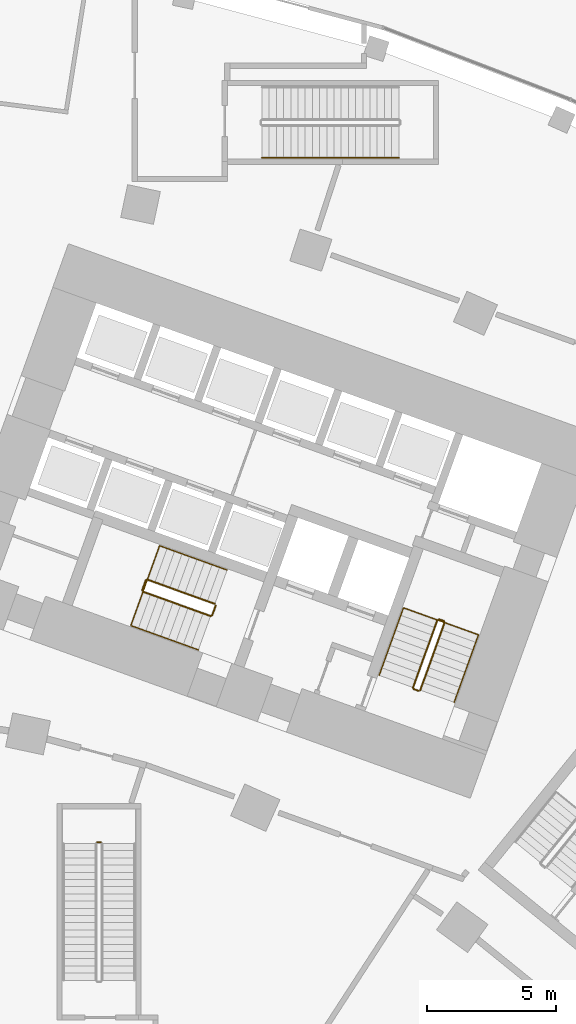
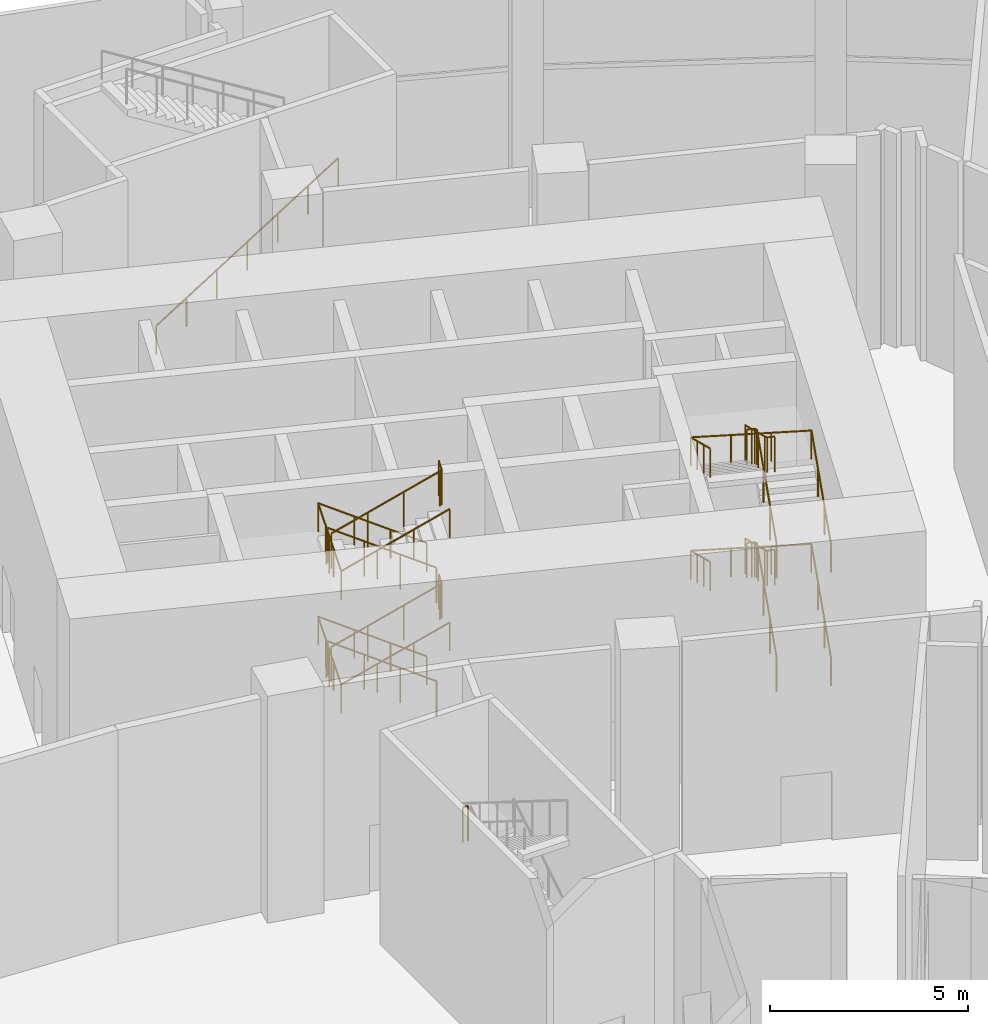
# One storey, part 53 of 60: 14 railings.
"""IFC4 building model written with IfcOpenShell, lengths in metres."""

from ifc_helpers import new_model, si_unit, direction, frame, origin, origin_2d, place, context, subcontext, project, spatial, circle, extrude, material, type_object, element, save


model = new_model("IFC4")

# Units and contexts
model_context = context("Model", 3, precision=1e-05, world=origin(), true_north=direction((0.0, 1.0)))
body_context = subcontext(model_context, "Body", "Model", "MODEL_VIEW")
ifc_project = project(units=[si_unit("LENGTHUNIT", "METRE"), si_unit("AREAUNIT", "SQUARE_METRE"), si_unit("VOLUMEUNIT", "CUBIC_METRE"), si_unit("PLANEANGLEUNIT", "RADIAN"), si_unit("MASSUNIT", "GRAM", prefix="KILO")], contexts=[model_context])

# Site, building, storey
site_placement = place(None, origin())
site = spatial("IfcSite", under=ifc_project, at=site_placement, CompositionType="ELEMENT")
building_placement = place(site_placement, origin())
building = spatial("IfcBuilding", under=site, at=building_placement, Name="Stone Belt Terrace Tower", CompositionType="ELEMENT")
storey_placement = place(building_placement, origin())
storey = spatial("IfcBuildingStorey", under=building, at=storey_placement, Name="L00", CompositionType="ELEMENT", Elevation=0.0)

# Railings
ifc_material_1 = material(Name="Steel balustrade", Category="steel")
railing_type_1 = type_object("IfcRailingType", Name="Podium stair guard", PredefinedType="GUARDRAIL", material=ifc_material_1)
railing_1_placement = place(storey_placement, frame((12.074951171875, 39.260009765625, 3.5)))
element("IfcRailing", 1, at=railing_1_placement, inside=storey, type_object=railing_type_1, Name="L00 PS6 stair guard 2", PredefinedType="GUARDRAIL", context=body_context, shape_type="SweptSolid", body=[
    extrude(circle(Radius=0.02392578125, at=origin_2d()), frame((0.0, 0.0, 1.076171875), z_axis=(-1.0, 0.0, 0.0), x_axis=(0.0, -1.0, 0.0)), (0.0, 0.0, 1.0), 0.14990234375),
    extrude(circle(Radius=0.02099609375, at=origin_2d()), origin(), (0.0, 0.0, 1.0), 1.052001953125),
    extrude(circle(Radius=0.02099609375, at=origin_2d()), frame((-0.14990234375, 0.0, 0.0)), (0.0, 0.0, 1.0), 1.052001953125),
])
ifc_material_2 = material(Name="Stainless steel handrail", Category="steel")
railing_type_2 = type_object("IfcRailingType", Name="Podium stair handrail", PredefinedType="HANDRAIL", material=ifc_material_2)
railing_2_placement = place(storey_placement, frame((18.340087890625, 65.875, 0.175048828125)))
element("IfcRailing", 2, at=railing_2_placement, inside=storey, type_object=railing_type_2, Name="L00 PS8 stair handrail 1", PredefinedType="HANDRAIL", context=body_context, shape_type="SweptSolid", body=[
    extrude(circle(Radius=0.02392578125, at=origin_2d()), frame((0.0, 0.0, 0.8759765625), z_axis=(0.847993931318, 0.0, 0.530005936238), x_axis=(0.0, 1.0, 0.0)), (0.0, 0.0, 1.0), 6.2734375),
    extrude(circle(Radius=0.02099609375, at=origin_2d()), origin(), (0.0, 0.0, 1.0), 0.851806640625),
    extrude(circle(Radius=0.02099609375, at=origin_2d()), frame((0.88671875, 0.0, 0.55419921875)), (0.0, 0.0, 1.0), 0.851806640625),
    extrude(circle(Radius=0.02099609375, at=origin_2d()), frame((1.773193359375, 0.0, 1.1083984375)), (0.0, 0.0, 1.0), 0.851806640625),
    extrude(circle(Radius=0.02099609375, at=origin_2d()), frame((2.659912109375, 0.0, 1.66259765625)), (0.0, 0.0, 1.0), 0.851806640625),
    extrude(circle(Radius=0.02099609375, at=origin_2d()), frame((3.546630859375, 0.0, 2.216552734375)), (0.0, 0.0, 1.0), 0.851806640625),
    extrude(circle(Radius=0.02099609375, at=origin_2d()), frame((4.43310546875, 0.0, 2.770751953125)), (0.0, 0.0, 1.0), 0.851806640625),
    extrude(circle(Radius=0.02099609375, at=origin_2d()), frame((5.31982421875, 0.0, 3.324951171875)), (0.0, 0.0, 1.0), 0.851806640625),
])
ifc_material_3 = material(Name="Structural steel C345", Category="steel")
railing_type_3 = type_object("IfcRailingType", Name="Stair guard 1100", PredefinedType="GUARDRAIL", material=ifc_material_3)
railing_3_placement = place(storey_placement, frame((24.494140625, 45.174560546875, 0.175048828125)))
element("IfcRailing", 3, at=railing_3_placement, inside=storey, type_object=railing_type_3, Name="L00 ST1B stair guard 1", PredefinedType="GUARDRAIL", context=body_context, shape_type="SweptSolid", body=[
    extrude(circle(Radius=0.02392578125, at=origin_2d()), frame((0.0, 0.0, 1.076171875), z_axis=(0.294915201794, 0.819361304828, 0.491601541801), x_axis=(-0.940907490413, 0.338663689351, 0.0)), (0.0, 0.0, 1.0), 3.20361328125),
    extrude(circle(Radius=0.02392578125, at=origin_2d()), frame((0.94482421875, 2.625, 2.65087890625), z_axis=(-0.424964916, 0.905209821074, 0.0), x_axis=(-0.905209821074, -0.424964916, 0.0)), (0.0, 0.0, 1.0), 0.070556640625),
    extrude(circle(Radius=0.02392578125, at=origin_2d()), frame((0.914794921875, 2.68896484375, 2.65087890625), z_axis=(-0.940716197853, 0.339194686126, 0.0), x_axis=(-0.339194686126, -0.940716197853, 0.0)), (0.0, 0.0, 1.0), 0.2001953125),
    extrude(circle(Radius=0.02099609375, at=origin_2d()), origin(), (0.0, 0.0, 1.0), 1.052001953125),
    extrude(circle(Radius=0.02099609375, at=origin_2d()), frame((0.31494140625, 0.875, 0.52490234375)), (0.0, 0.0, 1.0), 1.052001953125),
    extrude(circle(Radius=0.02099609375, at=origin_2d()), frame((0.6298828125, 1.75, 1.050048828125)), (0.0, 0.0, 1.0), 1.052001953125),
    extrude(circle(Radius=0.02099609375, at=origin_2d()), frame((0.94482421875, 2.625, 1.574951171875)), (0.0, 0.0, 1.0), 1.052001953125),
    extrude(circle(Radius=0.02099609375, at=origin_2d()), frame((0.914794921875, 2.68896484375, 1.574951171875)), (0.0, 0.0, 1.0), 1.052001953125),
    extrude(circle(Radius=0.02099609375, at=origin_2d()), frame((0.7265625, 2.7568359375, 1.574951171875)), (0.0, 0.0, 1.0), 1.052001953125),
])
railing_4_placement = place(storey_placement, frame((25.15673828125, 47.901123046875, 1.925048828125)))
element("IfcRailing", 4, at=railing_4_placement, inside=storey, type_object=railing_type_3, Name="L00 ST1B stair guard 2", PredefinedType="GUARDRAIL", context=body_context, shape_type="SweptSolid", body=[
    extrude(circle(Radius=0.02392578125, at=origin_2d()), frame((0.0, 0.0, 1.076171875), z_axis=(-0.294915201794, -0.819361304828, 0.491601541801), x_axis=(0.940907490413, -0.338663689351, 0.0)), (0.0, 0.0, 1.0), 3.20361328125),
    extrude(circle(Radius=0.02392578125, at=origin_2d()), frame((-0.94482421875, -2.625, 2.65087890625), z_axis=(0.427789722475, -0.903878284585, 0.0), x_axis=(0.903878284585, 0.427789722475, 0.0)), (0.0, 0.0, 1.0), 0.07080078125),
    extrude(circle(Radius=0.02392578125, at=origin_2d()), frame((-0.91455078125, -2.68896484375, 2.65087890625), z_axis=(0.940575576748, -0.339584429008, 0.0), x_axis=(0.339584429008, 0.940575576748, 0.0)), (0.0, 0.0, 1.0), 0.199951171875),
    extrude(circle(Radius=0.02099609375, at=origin_2d()), origin(), (0.0, 0.0, 1.0), 1.052001953125),
    extrude(circle(Radius=0.02099609375, at=origin_2d()), frame((-0.31494140625, -0.875, 0.52490234375)), (0.0, 0.0, 1.0), 1.052001953125),
    extrude(circle(Radius=0.02099609375, at=origin_2d()), frame((-0.6298828125, -1.75, 1.050048828125)), (0.0, 0.0, 1.0), 1.052001953125),
    extrude(circle(Radius=0.02099609375, at=origin_2d()), frame((-0.94482421875, -2.625, 1.574951171875)), (0.0, 0.0, 1.0), 1.052001953125),
    extrude(circle(Radius=0.02099609375, at=origin_2d()), frame((-0.91455078125, -2.68896484375, 1.574951171875)), (0.0, 0.0, 1.0), 1.052001953125),
    extrude(circle(Radius=0.02099609375, at=origin_2d()), frame((-0.7265625, -2.7568359375, 1.574951171875)), (0.0, 0.0, 1.0), 1.052001953125),
])
railing_5_placement = place(storey_placement, frame((24.494140625, 45.174560546875, 3.675048828125)))
element("IfcRailing", 5, at=railing_5_placement, inside=storey, type_object=railing_type_3, Name="L00 ST1B stair guard 3", PredefinedType="GUARDRAIL", context=body_context, shape_type="SweptSolid", body=[
    extrude(circle(Radius=0.02392578125, at=origin_2d()), frame((0.0, 0.0, 1.076171875), z_axis=(0.294915201794, 0.819361304828, 0.491601541801), x_axis=(-0.940907490413, 0.338663689351, 0.0)), (0.0, 0.0, 1.0), 3.20361328125),
    extrude(circle(Radius=0.02392578125, at=origin_2d()), frame((0.94482421875, 2.625, 2.65087890625), z_axis=(-0.424964916, 0.905209821074, 0.0), x_axis=(-0.905209821074, -0.424964916, 0.0)), (0.0, 0.0, 1.0), 0.070556640625),
    extrude(circle(Radius=0.02392578125, at=origin_2d()), frame((0.914794921875, 2.68896484375, 2.65087890625), z_axis=(-0.940716197853, 0.339194686126, 0.0), x_axis=(-0.339194686126, -0.940716197853, 0.0)), (0.0, 0.0, 1.0), 0.2001953125),
    extrude(circle(Radius=0.02099609375, at=origin_2d()), origin(), (0.0, 0.0, 1.0), 1.052001953125),
    extrude(circle(Radius=0.02099609375, at=origin_2d()), frame((0.31494140625, 0.875, 0.52490234375)), (0.0, 0.0, 1.0), 1.052001953125),
    extrude(circle(Radius=0.02099609375, at=origin_2d()), frame((0.6298828125, 1.75, 1.050048828125)), (0.0, 0.0, 1.0), 1.052001953125),
    extrude(circle(Radius=0.02099609375, at=origin_2d()), frame((0.94482421875, 2.625, 1.574951171875)), (0.0, 0.0, 1.0), 1.052001953125),
    extrude(circle(Radius=0.02099609375, at=origin_2d()), frame((0.914794921875, 2.68896484375, 1.574951171875)), (0.0, 0.0, 1.0), 1.052001953125),
    extrude(circle(Radius=0.02099609375, at=origin_2d()), frame((0.7265625, 2.7568359375, 1.574951171875)), (0.0, 0.0, 1.0), 1.052001953125),
])
railing_6_placement = place(storey_placement, frame((25.15673828125, 47.901123046875, 5.425048828125)))
element("IfcRailing", 6, at=railing_6_placement, inside=storey, type_object=railing_type_3, Name="L00 ST1B stair guard 4", PredefinedType="GUARDRAIL", context=body_context, shape_type="SweptSolid", body=[
    extrude(circle(Radius=0.02392578125, at=origin_2d()), frame((0.0, 0.0, 1.076171875), z_axis=(-0.294915201794, -0.819361304828, 0.491601541801), x_axis=(0.940907490413, -0.338663689351, 0.0)), (0.0, 0.0, 1.0), 3.20361328125),
    extrude(circle(Radius=0.02392578125, at=origin_2d()), frame((-0.94482421875, -2.625, 2.65087890625), z_axis=(0.427789722475, -0.903878284585, 0.0), x_axis=(0.903878284585, 0.427789722475, 0.0)), (0.0, 0.0, 1.0), 0.07080078125),
    extrude(circle(Radius=0.02392578125, at=origin_2d()), frame((-0.91455078125, -2.68896484375, 2.65087890625), z_axis=(0.940575576748, -0.339584429008, 0.0), x_axis=(0.339584429008, 0.940575576748, 0.0)), (0.0, 0.0, 1.0), 0.199951171875),
    extrude(circle(Radius=0.02099609375, at=origin_2d()), origin(), (0.0, 0.0, 1.0), 1.052001953125),
    extrude(circle(Radius=0.02099609375, at=origin_2d()), frame((-0.31494140625, -0.875, 0.52490234375)), (0.0, 0.0, 1.0), 1.052001953125),
    extrude(circle(Radius=0.02099609375, at=origin_2d()), frame((-0.6298828125, -1.75, 1.050048828125)), (0.0, 0.0, 1.0), 1.052001953125),
    extrude(circle(Radius=0.02099609375, at=origin_2d()), frame((-0.94482421875, -2.625, 1.574951171875)), (0.0, 0.0, 1.0), 1.052001953125),
    extrude(circle(Radius=0.02099609375, at=origin_2d()), frame((-0.91455078125, -2.68896484375, 1.574951171875)), (0.0, 0.0, 1.0), 1.052001953125),
    extrude(circle(Radius=0.02099609375, at=origin_2d()), frame((-0.7265625, -2.7568359375, 1.574951171875)), (0.0, 0.0, 1.0), 1.052001953125),
])
railing_7_placement = place(storey_placement, frame((16.507568359375, 48.527099609375, 0.175048828125)))
element("IfcRailing", 7, at=railing_7_placement, inside=storey, type_object=railing_type_3, Name="L00 ST2B stair guard 1", PredefinedType="GUARDRAIL", context=body_context, shape_type="SweptSolid", body=[
    extrude(circle(Radius=0.02392578125, at=origin_2d()), frame((0.0, 0.0, 1.076171875), z_axis=(-0.819379717522, 0.294845621939, 0.491612589075), x_axis=(-0.338586212702, -0.940935373215, 0.0)), (0.0, 0.0, 1.0), 3.20361328125),
    extrude(circle(Radius=0.02392578125, at=origin_2d()), frame((-2.625, 0.944580078125, 2.65087890625), z_axis=(-0.905209821074, -0.424964916, 0.0), x_axis=(0.424964916, -0.905209821074, 0.0)), (0.0, 0.0, 1.0), 0.070556640625),
    extrude(circle(Radius=0.02392578125, at=origin_2d()), frame((-2.68896484375, 0.91455078125, 2.65087890625), z_axis=(-0.338654645739, -0.940910745459, 0.0), x_axis=(0.940910745459, -0.338654645739, 0.0)), (0.0, 0.0, 1.0), 0.400146484375),
    extrude(circle(Radius=0.02099609375, at=origin_2d()), origin(), (0.0, 0.0, 1.0), 1.052001953125),
    extrude(circle(Radius=0.02099609375, at=origin_2d()), frame((-0.875, 0.31494140625, 0.52490234375)), (0.0, 0.0, 1.0), 1.052001953125),
    extrude(circle(Radius=0.02099609375, at=origin_2d()), frame((-1.75, 0.629638671875, 1.050048828125)), (0.0, 0.0, 1.0), 1.052001953125),
    extrude(circle(Radius=0.02099609375, at=origin_2d()), frame((-2.625, 0.944580078125, 1.574951171875)), (0.0, 0.0, 1.0), 1.052001953125),
    extrude(circle(Radius=0.02099609375, at=origin_2d()), frame((-2.68896484375, 0.91455078125, 1.574951171875)), (0.0, 0.0, 1.0), 1.052001953125),
    extrude(circle(Radius=0.02099609375, at=origin_2d()), frame((-2.824462890625, 0.5380859375, 1.574951171875)), (0.0, 0.0, 1.0), 1.052001953125),
])
railing_8_placement = place(storey_placement, frame((13.713134765625, 49.001220703125, 1.925048828125)))
element("IfcRailing", 8, at=railing_8_placement, inside=storey, type_object=railing_type_3, Name="L00 ST2B stair guard 2", PredefinedType="GUARDRAIL", context=body_context, shape_type="SweptSolid", body=[
    extrude(circle(Radius=0.02392578125, at=origin_2d()), frame((0.0, 0.0, 1.076171875), z_axis=(0.819404758146, -0.294827211873, 0.491581892941), x_axis=(0.33855833441, 0.940945404474, 0.0)), (0.0, 0.0, 1.0), 3.203857421875),
    extrude(circle(Radius=0.02392578125, at=origin_2d()), frame((2.625244140625, -0.944580078125, 2.65087890625), z_axis=(0.905209821074, 0.424964916, 0.0), x_axis=(-0.424964916, 0.905209821074, 0.0)), (0.0, 0.0, 1.0), 0.070556640625),
    extrude(circle(Radius=0.02392578125, at=origin_2d()), frame((2.689208984375, -0.91455078125, 2.65087890625), z_axis=(0.338654645739, 0.940910745459, 0.0), x_axis=(-0.940910745459, 0.338654645739, 0.0)), (0.0, 0.0, 1.0), 0.400146484375),
    extrude(circle(Radius=0.02099609375, at=origin_2d()), origin(), (0.0, 0.0, 1.0), 1.052001953125),
    extrude(circle(Radius=0.02099609375, at=origin_2d()), frame((0.875, -0.31494140625, 0.52490234375)), (0.0, 0.0, 1.0), 1.052001953125),
    extrude(circle(Radius=0.02099609375, at=origin_2d()), frame((1.750244140625, -0.629638671875, 1.050048828125)), (0.0, 0.0, 1.0), 1.052001953125),
    extrude(circle(Radius=0.02099609375, at=origin_2d()), frame((2.625244140625, -0.944580078125, 1.574951171875)), (0.0, 0.0, 1.0), 1.052001953125),
    extrude(circle(Radius=0.02099609375, at=origin_2d()), frame((2.689208984375, -0.91455078125, 1.574951171875)), (0.0, 0.0, 1.0), 1.052001953125),
    extrude(circle(Radius=0.02099609375, at=origin_2d()), frame((2.82470703125, -0.5380859375, 1.574951171875)), (0.0, 0.0, 1.0), 1.052001953125),
])
railing_9_placement = place(storey_placement, frame((16.507568359375, 48.527099609375, 3.675048828125)))
element("IfcRailing", 9, at=railing_9_placement, inside=storey, type_object=railing_type_3, Name="L00 ST2B stair guard 3", PredefinedType="GUARDRAIL", context=body_context, shape_type="SweptSolid", body=[
    extrude(circle(Radius=0.02392578125, at=origin_2d()), frame((0.0, 0.0, 1.076171875), z_axis=(-0.819379717522, 0.294845621939, 0.491612589075), x_axis=(-0.338586212702, -0.940935373215, 0.0)), (0.0, 0.0, 1.0), 3.20361328125),
    extrude(circle(Radius=0.02392578125, at=origin_2d()), frame((-2.625, 0.944580078125, 2.65087890625), z_axis=(-0.905209821074, -0.424964916, 0.0), x_axis=(0.424964916, -0.905209821074, 0.0)), (0.0, 0.0, 1.0), 0.070556640625),
    extrude(circle(Radius=0.02392578125, at=origin_2d()), frame((-2.68896484375, 0.91455078125, 2.65087890625), z_axis=(-0.338654645739, -0.940910745459, 0.0), x_axis=(0.940910745459, -0.338654645739, 0.0)), (0.0, 0.0, 1.0), 0.400146484375),
    extrude(circle(Radius=0.02099609375, at=origin_2d()), origin(), (0.0, 0.0, 1.0), 1.052001953125),
    extrude(circle(Radius=0.02099609375, at=origin_2d()), frame((-0.875, 0.31494140625, 0.52490234375)), (0.0, 0.0, 1.0), 1.052001953125),
    extrude(circle(Radius=0.02099609375, at=origin_2d()), frame((-1.75, 0.629638671875, 1.050048828125)), (0.0, 0.0, 1.0), 1.052001953125),
    extrude(circle(Radius=0.02099609375, at=origin_2d()), frame((-2.625, 0.944580078125, 1.574951171875)), (0.0, 0.0, 1.0), 1.052001953125),
    extrude(circle(Radius=0.02099609375, at=origin_2d()), frame((-2.68896484375, 0.91455078125, 1.574951171875)), (0.0, 0.0, 1.0), 1.052001953125),
    extrude(circle(Radius=0.02099609375, at=origin_2d()), frame((-2.824462890625, 0.5380859375, 1.574951171875)), (0.0, 0.0, 1.0), 1.052001953125),
])
railing_10_placement = place(storey_placement, frame((13.713134765625, 49.001220703125, 5.425048828125)))
element("IfcRailing", 10, at=railing_10_placement, inside=storey, type_object=railing_type_3, Name="L00 ST2B stair guard 4", PredefinedType="GUARDRAIL", context=body_context, shape_type="SweptSolid", body=[
    extrude(circle(Radius=0.02392578125, at=origin_2d()), frame((0.0, 0.0, 1.076171875), z_axis=(0.819404758146, -0.294827211873, 0.491581892941), x_axis=(0.33855833441, 0.940945404474, 0.0)), (0.0, 0.0, 1.0), 3.203857421875),
    extrude(circle(Radius=0.02392578125, at=origin_2d()), frame((2.625244140625, -0.944580078125, 2.65087890625), z_axis=(0.905209821074, 0.424964916, 0.0), x_axis=(-0.424964916, 0.905209821074, 0.0)), (0.0, 0.0, 1.0), 0.070556640625),
    extrude(circle(Radius=0.02392578125, at=origin_2d()), frame((2.689208984375, -0.91455078125, 2.65087890625), z_axis=(0.338654645739, 0.940910745459, 0.0), x_axis=(-0.940910745459, 0.338654645739, 0.0)), (0.0, 0.0, 1.0), 0.400146484375),
    extrude(circle(Radius=0.02099609375, at=origin_2d()), origin(), (0.0, 0.0, 1.0), 1.052001953125),
    extrude(circle(Radius=0.02099609375, at=origin_2d()), frame((0.875, -0.31494140625, 0.52490234375)), (0.0, 0.0, 1.0), 1.052001953125),
    extrude(circle(Radius=0.02099609375, at=origin_2d()), frame((1.750244140625, -0.629638671875, 1.050048828125)), (0.0, 0.0, 1.0), 1.052001953125),
    extrude(circle(Radius=0.02099609375, at=origin_2d()), frame((2.625244140625, -0.944580078125, 1.574951171875)), (0.0, 0.0, 1.0), 1.052001953125),
    extrude(circle(Radius=0.02099609375, at=origin_2d()), frame((2.689208984375, -0.91455078125, 1.574951171875)), (0.0, 0.0, 1.0), 1.052001953125),
    extrude(circle(Radius=0.02099609375, at=origin_2d()), frame((2.82470703125, -0.5380859375, 1.574951171875)), (0.0, 0.0, 1.0), 1.052001953125),
])
railing_type_4 = type_object("IfcRailingType", Name="Stair handrail 900", PredefinedType="HANDRAIL", material=ifc_material_3)
railing_11_placement = place(storey_placement, frame((25.8115234375, 44.700439453125, 0.175048828125)))
element("IfcRailing", 11, at=railing_11_placement, inside=storey, type_object=railing_type_4, Name="L00 ST1B stair handrail 1", PredefinedType="HANDRAIL", context=body_context, shape_type="SweptSolid", body=[
    extrude(circle(Radius=0.02392578125, at=origin_2d()), frame((0.0, 0.0, 0.8759765625), z_axis=(0.29489678821, 0.819386347189, 0.491570847737), x_axis=(-0.940917525966, 0.338635806332, 0.0)), (0.0, 0.0, 1.0), 3.203857421875),
    extrude(circle(Radius=0.02392578125, at=origin_2d()), frame((0.94482421875, 2.625244140625, 2.45068359375), z_axis=(-0.93944813549, 0.338022056785, 0.056376323497), x_axis=(-0.338560506674, -0.940944622877, 0.0)), (0.0, 0.0, 1.0), 3.10498046875),
    extrude(circle(Radius=0.02392578125, at=origin_2d()), frame((-1.97216796875, 3.6748046875, 2.6259765625), z_axis=(-0.294845621939, -0.819379717522, 0.491612589075), x_axis=(0.940935373215, -0.338586212702, 0.0)), (0.0, 0.0, 1.0), 3.20361328125),
    extrude(circle(Radius=0.02099609375, at=origin_2d()), origin(), (0.0, 0.0, 1.0), 0.851806640625),
    extrude(circle(Radius=0.02099609375, at=origin_2d()), frame((0.31494140625, 0.875, 0.52490234375)), (0.0, 0.0, 1.0), 0.851806640625),
    extrude(circle(Radius=0.02099609375, at=origin_2d()), frame((0.6298828125, 1.750244140625, 1.050048828125)), (0.0, 0.0, 1.0), 0.851806640625),
    extrude(circle(Radius=0.02099609375, at=origin_2d()), frame((0.94482421875, 2.625244140625, 1.574951171875)), (0.0, 0.0, 1.0), 0.851806640625),
    extrude(circle(Radius=0.02099609375, at=origin_2d()), frame((-0.027587890625, 2.97509765625, 1.63330078125)), (0.0, 0.0, 1.0), 0.851806640625),
    extrude(circle(Radius=0.02099609375, at=origin_2d()), frame((-0.999755859375, 3.324951171875, 1.691650390625)), (0.0, 0.0, 1.0), 0.851806640625),
    extrude(circle(Radius=0.02099609375, at=origin_2d()), frame((-1.97216796875, 3.6748046875, 1.75)), (0.0, 0.0, 1.0), 0.851806640625),
    extrude(circle(Radius=0.02099609375, at=origin_2d()), frame((-2.287109375, 2.7998046875, 2.27490234375)), (0.0, 0.0, 1.0), 0.851806640625),
    extrude(circle(Radius=0.02099609375, at=origin_2d()), frame((-2.601806640625, 1.9248046875, 2.800048828125)), (0.0, 0.0, 1.0), 0.851806640625),
    extrude(circle(Radius=0.02099609375, at=origin_2d()), frame((-2.916748046875, 1.0498046875, 3.324951171875)), (0.0, 0.0, 1.0), 0.851806640625),
])
railing_12_placement = place(storey_placement, frame((25.8115234375, 44.700439453125, 3.675048828125)))
element("IfcRailing", 12, at=railing_12_placement, inside=storey, type_object=railing_type_4, Name="L00 ST1B stair handrail 2", PredefinedType="HANDRAIL", context=body_context, shape_type="SweptSolid", body=[
    extrude(circle(Radius=0.02392578125, at=origin_2d()), frame((0.0, 0.0, 0.8759765625), z_axis=(0.29489678821, 0.819386347189, 0.491570847737), x_axis=(-0.940917525966, 0.338635806332, 0.0)), (0.0, 0.0, 1.0), 3.203857421875),
    extrude(circle(Radius=0.02392578125, at=origin_2d()), frame((0.94482421875, 2.625244140625, 2.45068359375), z_axis=(-0.93944813549, 0.338022056785, 0.056376323497), x_axis=(-0.338560506674, -0.940944622877, 0.0)), (0.0, 0.0, 1.0), 3.10498046875),
    extrude(circle(Radius=0.02392578125, at=origin_2d()), frame((-1.97216796875, 3.6748046875, 2.6259765625), z_axis=(-0.294845621939, -0.819379717522, 0.491612589075), x_axis=(0.940935373215, -0.338586212702, 0.0)), (0.0, 0.0, 1.0), 3.20361328125),
    extrude(circle(Radius=0.02099609375, at=origin_2d()), origin(), (0.0, 0.0, 1.0), 0.851806640625),
    extrude(circle(Radius=0.02099609375, at=origin_2d()), frame((0.31494140625, 0.875, 0.52490234375)), (0.0, 0.0, 1.0), 0.851806640625),
    extrude(circle(Radius=0.02099609375, at=origin_2d()), frame((0.6298828125, 1.750244140625, 1.050048828125)), (0.0, 0.0, 1.0), 0.851806640625),
    extrude(circle(Radius=0.02099609375, at=origin_2d()), frame((0.94482421875, 2.625244140625, 1.574951171875)), (0.0, 0.0, 1.0), 0.851806640625),
    extrude(circle(Radius=0.02099609375, at=origin_2d()), frame((-0.027587890625, 2.97509765625, 1.63330078125)), (0.0, 0.0, 1.0), 0.851806640625),
    extrude(circle(Radius=0.02099609375, at=origin_2d()), frame((-0.999755859375, 3.324951171875, 1.691650390625)), (0.0, 0.0, 1.0), 0.851806640625),
    extrude(circle(Radius=0.02099609375, at=origin_2d()), frame((-1.97216796875, 3.6748046875, 1.75)), (0.0, 0.0, 1.0), 0.851806640625),
    extrude(circle(Radius=0.02099609375, at=origin_2d()), frame((-2.287109375, 2.7998046875, 2.27490234375)), (0.0, 0.0, 1.0), 0.851806640625),
    extrude(circle(Radius=0.02099609375, at=origin_2d()), frame((-2.601806640625, 1.9248046875, 2.800048828125)), (0.0, 0.0, 1.0), 0.851806640625),
    extrude(circle(Radius=0.02099609375, at=origin_2d()), frame((-2.916748046875, 1.0498046875, 3.324951171875)), (0.0, 0.0, 1.0), 0.851806640625),
])
railing_13_placement = place(storey_placement, frame((16.981689453125, 49.84423828125, 0.175048828125)))
element("IfcRailing", 13, at=railing_13_placement, inside=storey, type_object=railing_type_4, Name="L00 ST2B stair handrail 1", PredefinedType="HANDRAIL", context=body_context, shape_type="SweptSolid", body=[
    extrude(circle(Radius=0.02392578125, at=origin_2d()), frame((0.0, 0.0, 0.8759765625), z_axis=(-0.819361304828, 0.294915201794, 0.491601541801), x_axis=(-0.338663689351, -0.940907490413, 0.0)), (0.0, 0.0, 1.0), 3.20361328125),
    extrude(circle(Radius=0.02392578125, at=origin_2d()), frame((-2.625, 0.94482421875, 2.45068359375), z_axis=(-0.338212541578, -0.939577785887, 0.052970378399), x_axis=(0.940898728651, -0.338688031118, 0.0)), (0.0, 0.0, 1.0), 3.3046875),
    extrude(circle(Radius=0.02392578125, at=origin_2d()), frame((-3.74267578125, -2.16015625, 2.6259765625), z_axis=(0.819386347189, -0.29489678821, 0.491570847737), x_axis=(0.338635806332, 0.940917525966, 0.0)), (0.0, 0.0, 1.0), 3.203857421875),
    extrude(circle(Radius=0.02099609375, at=origin_2d()), origin(), (0.0, 0.0, 1.0), 0.851806640625),
    extrude(circle(Radius=0.02099609375, at=origin_2d()), frame((-0.875, 0.31494140625, 0.52490234375)), (0.0, 0.0, 1.0), 0.851806640625),
    extrude(circle(Radius=0.02099609375, at=origin_2d()), frame((-1.75, 0.6298828125, 1.050048828125)), (0.0, 0.0, 1.0), 0.851806640625),
    extrude(circle(Radius=0.02099609375, at=origin_2d()), frame((-2.625, 0.94482421875, 1.574951171875)), (0.0, 0.0, 1.0), 0.851806640625),
    extrude(circle(Radius=0.02099609375, at=origin_2d()), frame((-2.99755859375, -0.090087890625, 1.63330078125)), (0.0, 0.0, 1.0), 0.851806640625),
    extrude(circle(Radius=0.02099609375, at=origin_2d()), frame((-3.3701171875, -1.125244140625, 1.691650390625)), (0.0, 0.0, 1.0), 0.851806640625),
    extrude(circle(Radius=0.02099609375, at=origin_2d()), frame((-3.74267578125, -2.16015625, 1.75)), (0.0, 0.0, 1.0), 0.851806640625),
    extrude(circle(Radius=0.02099609375, at=origin_2d()), frame((-2.86767578125, -2.47509765625, 2.27490234375)), (0.0, 0.0, 1.0), 0.851806640625),
    extrude(circle(Radius=0.02099609375, at=origin_2d()), frame((-1.992431640625, -2.7900390625, 2.800048828125)), (0.0, 0.0, 1.0), 0.851806640625),
    extrude(circle(Radius=0.02099609375, at=origin_2d()), frame((-1.117431640625, -3.10498046875, 3.324951171875)), (0.0, 0.0, 1.0), 0.851806640625),
])
railing_14_placement = place(storey_placement, frame((16.981689453125, 49.84423828125, 3.675048828125)))
element("IfcRailing", 14, at=railing_14_placement, inside=storey, type_object=railing_type_4, Name="L00 ST2B stair handrail 2", PredefinedType="HANDRAIL", context=body_context, shape_type="SweptSolid", body=[
    extrude(circle(Radius=0.02392578125, at=origin_2d()), frame((0.0, 0.0, 0.8759765625), z_axis=(-0.819361304828, 0.294915201794, 0.491601541801), x_axis=(-0.338663689351, -0.940907490413, 0.0)), (0.0, 0.0, 1.0), 3.20361328125),
    extrude(circle(Radius=0.02392578125, at=origin_2d()), frame((-2.625, 0.94482421875, 2.45068359375), z_axis=(-0.338212541578, -0.939577785887, 0.052970378399), x_axis=(0.940898728651, -0.338688031118, 0.0)), (0.0, 0.0, 1.0), 3.3046875),
    extrude(circle(Radius=0.02392578125, at=origin_2d()), frame((-3.74267578125, -2.16015625, 2.6259765625), z_axis=(0.819386347189, -0.29489678821, 0.491570847737), x_axis=(0.338635806332, 0.940917525966, 0.0)), (0.0, 0.0, 1.0), 3.203857421875),
    extrude(circle(Radius=0.02099609375, at=origin_2d()), origin(), (0.0, 0.0, 1.0), 0.851806640625),
    extrude(circle(Radius=0.02099609375, at=origin_2d()), frame((-0.875, 0.31494140625, 0.52490234375)), (0.0, 0.0, 1.0), 0.851806640625),
    extrude(circle(Radius=0.02099609375, at=origin_2d()), frame((-1.75, 0.6298828125, 1.050048828125)), (0.0, 0.0, 1.0), 0.851806640625),
    extrude(circle(Radius=0.02099609375, at=origin_2d()), frame((-2.625, 0.94482421875, 1.574951171875)), (0.0, 0.0, 1.0), 0.851806640625),
    extrude(circle(Radius=0.02099609375, at=origin_2d()), frame((-2.99755859375, -0.090087890625, 1.63330078125)), (0.0, 0.0, 1.0), 0.851806640625),
    extrude(circle(Radius=0.02099609375, at=origin_2d()), frame((-3.3701171875, -1.125244140625, 1.691650390625)), (0.0, 0.0, 1.0), 0.851806640625),
    extrude(circle(Radius=0.02099609375, at=origin_2d()), frame((-3.74267578125, -2.16015625, 1.75)), (0.0, 0.0, 1.0), 0.851806640625),
    extrude(circle(Radius=0.02099609375, at=origin_2d()), frame((-2.86767578125, -2.47509765625, 2.27490234375)), (0.0, 0.0, 1.0), 0.851806640625),
    extrude(circle(Radius=0.02099609375, at=origin_2d()), frame((-1.992431640625, -2.7900390625, 2.800048828125)), (0.0, 0.0, 1.0), 0.851806640625),
    extrude(circle(Radius=0.02099609375, at=origin_2d()), frame((-1.117431640625, -3.10498046875, 3.324951171875)), (0.0, 0.0, 1.0), 0.851806640625),
])

save(model, "model.ifc")
